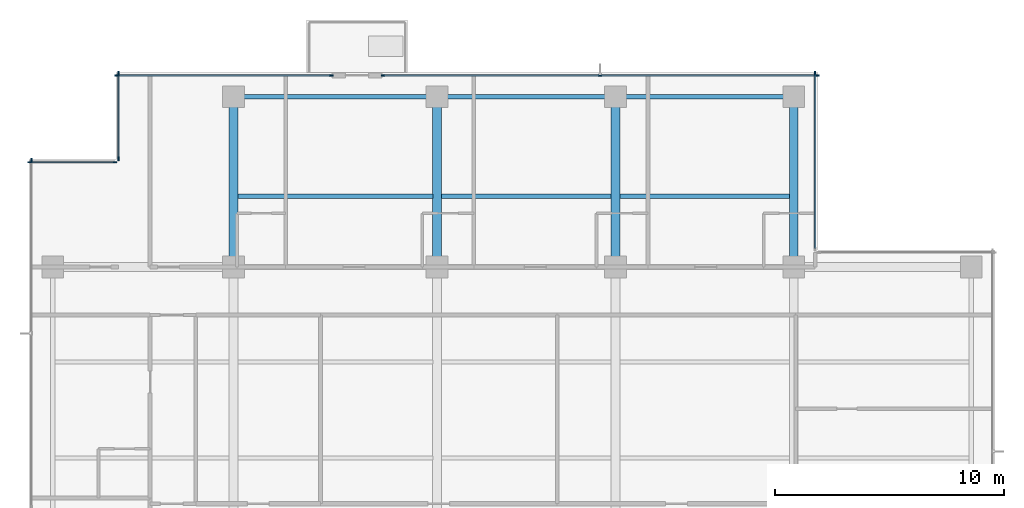
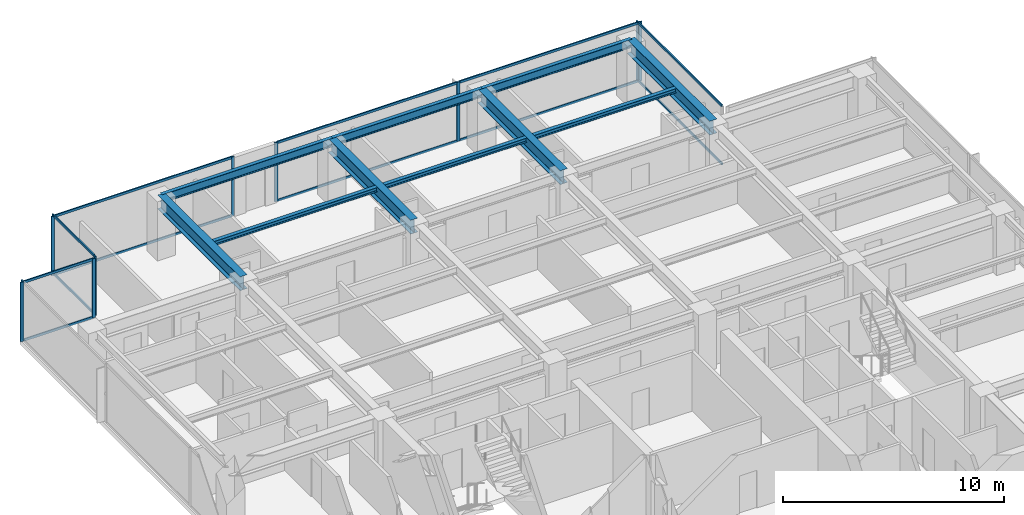
# One storey, part 5 of 14: 23 members, 10 beams, 6 elements without a shape of their own.
"""IFC4 building model written with IfcOpenShell, lengths in metres."""

from ifc_helpers import new_model, si_unit, direction, frame, origin, origin_2d, place, context, subcontext, project, spatial, rectangle, i_section, extrude, material, layer, layer_set, material_profile, profile_set, type_object, element, aggregate, save


model = new_model("IFC4")

# Units and contexts
model_context = context("Model", 3, precision=1e-05, world=origin(), true_north=direction((0.0, 1.0)))
body_context = subcontext(model_context, "Body", "Model", "MODEL_VIEW")
ifc_project = project(units=[si_unit("LENGTHUNIT", "METRE"), si_unit("AREAUNIT", "SQUARE_METRE"), si_unit("VOLUMEUNIT", "CUBIC_METRE"), si_unit("PLANEANGLEUNIT", "RADIAN"), si_unit("MASSUNIT", "GRAM", prefix="KILO")], contexts=[model_context])

# Site, building, storey
site_placement = place(None, origin())
site = spatial("IfcSite", under=ifc_project, at=site_placement, CompositionType="ELEMENT")
building_placement = place(site_placement, origin())
building = spatial("IfcBuilding", under=site, at=building_placement, Name="Qalmaran Belvedere Hotel", CompositionType="ELEMENT")
storey_placement = place(building_placement, frame((0.0, 0.0, 207.39990234375)))
storey = spatial("IfcBuildingStorey", under=building, at=storey_placement, Name="L52", CompositionType="ELEMENT", Elevation=207.39990234375)

# Beams
ifc_material_1 = material(Name="Steel S355JR", Category="steel")
ifc_material_profile_1 = material_profile(ifc_material_1, i_section(OverallWidth=0.201904296875, OverallDepth=0.2470703125, WebThickness=0.00732421875, FlangeThickness=0.010986328125, FilletRadius=0.011962890625, at=origin_2d()), Name="W250X49")
ifc_profile_set_1 = profile_set([ifc_material_profile_1], Name="Steel S355JR")
beam_type_1 = type_object("IfcBeamType", Name="BM-JST-W250X49", PredefinedType="JOIST", material=ifc_profile_set_1)
beam_1_placement = place(storey_placement, frame((20.488525390625, 36.10009765625, 3.13671875), z_axis=(1.0, 0.0, 0.0), x_axis=(0.0, 1.0, 0.0)))
element("IfcBeam", 1, at=beam_1_placement, inside=storey, type_object=beam_type_1, Name="L52 North Floor Joist 042", PredefinedType="JOIST", context=body_context, shape_type="SweptSolid", body=[
    extrude(i_section(OverallWidth=0.201904296875, OverallDepth=0.2470703125, WebThickness=0.00732421875, FlangeThickness=0.010986328125, FilletRadius=0.011962890625, at=origin_2d()), origin(), (0.0, 0.0, 1.0), 8.52294921875),
])
for number, where, z_axis, x_axis, name in (
    (2, (29.388427734375, 36.10009765625, 3.13671875), (1.0, 0.0, 0.0), (0.0, 1.0, 0.0), "L52 North Floor Joist 043"),
    (3, (37.1884765625, 36.10009765625, 3.13671875), (1.0, 0.0, 0.0), (0.0, 1.0, 0.0), "L52 North Floor Joist 044"),
):
    element("IfcBeam", number, at=place(storey_placement, frame(where, z_axis=z_axis, x_axis=x_axis)), inside=storey, type_object=beam_type_1, Name=name, PredefinedType="JOIST", context=body_context, shape_type="SweptSolid", body=[
        extrude(i_section(OverallWidth=0.201904296875, OverallDepth=0.2470703125, WebThickness=0.00732421875, FlangeThickness=0.010986328125, FilletRadius=0.011962890625, at=origin_2d()), origin(), (0.0, 0.0, 1.0), 7.423095703125),
    ])
ifc_material_profile_2 = material_profile(ifc_material_1, i_section(OverallWidth=0.381103515625, OverallDepth=0.77294921875, WebThickness=0.0166015625, FlangeThickness=0.027099609375, FilletRadius=0.02197265625, at=origin_2d()), Name="W760X257")
ifc_profile_set_2 = profile_set([ifc_material_profile_2], Name="Steel S355JR")
beam_type_2 = type_object("IfcBeamType", Name="BM-PG4-W760X257", PredefinedType="USERDEFINED", material=ifc_profile_set_2)
for number, where, z_axis, x_axis, name in (
    (4, (20.300048828125, 33.0, 2.87353515625), (0.0, 1.0, 0.0), (-1.0, 0.0, 0.0), "L52 North Bay Girder 15"),
    (5, (29.199951171875, 33.0, 2.87353515625), (0.0, 1.0, 0.0), (-1.0, 0.0, 0.0), "L52 North Bay Girder 17"),
    (6, (37.0, 33.0, 2.87353515625), (0.0, 1.0, 0.0), (-1.0, 0.0, 0.0), "L52 North Bay Girder 19"),
    (7, (44.800048828125, 33.0, 2.87353515625), (0.0, 1.0, 0.0), (-1.0, 0.0, 0.0), "L52 North Bay Girder 21"),
):
    element("IfcBeam", number, at=place(storey_placement, frame(where, z_axis=z_axis, x_axis=x_axis)), inside=storey, type_object=beam_type_2, Name=name, ObjectType="GIRDER", PredefinedType="USERDEFINED", context=body_context, shape_type="SweptSolid", body=[
        extrude(i_section(OverallWidth=0.381103515625, OverallDepth=0.77294921875, WebThickness=0.0166015625, FlangeThickness=0.027099609375, FilletRadius=0.02197265625, at=origin_2d()), origin(), (0.0, 0.0, 1.0), 7.449951171875),
    ])
ifc_material_profile_3 = material_profile(ifc_material_1, i_section(OverallWidth=0.19189453125, OverallDepth=0.462890625, WebThickness=0.010498046875, FlangeThickness=0.017578125, FilletRadius=0.01611328125, at=origin_2d()), Name="W460X89")
ifc_profile_set_3 = profile_set([ifc_material_profile_3], Name="Steel S355JR")
beam_type_3 = type_object("IfcBeamType", Name="BM-SP2-W460X89", PredefinedType="SPANDREL", material=ifc_profile_set_3)
beam_2_placement = place(storey_placement, frame((20.300048828125, 40.449951171875, 3.028564453125), z_axis=(1.0, 0.0, 0.0), x_axis=(0.0, 1.0, 0.0)))
element("IfcBeam", 8, at=beam_2_placement, inside=storey, type_object=beam_type_3, Name="L52 Perimeter Spandrel 05", PredefinedType="SPANDREL", context=body_context, shape_type="SweptSolid", body=[
    extrude(i_section(OverallWidth=0.19189453125, OverallDepth=0.462890625, WebThickness=0.010498046875, FlangeThickness=0.017578125, FilletRadius=0.01611328125, at=origin_2d()), origin(), (0.0, 0.0, 1.0), 8.89990234375),
])
for number, where, z_axis, x_axis, name in (
    (9, (29.199951171875, 40.449951171875, 3.028564453125), (1.0, 0.0, 0.0), (0.0, 1.0, 0.0), "L52 Perimeter Spandrel 06"),
    (10, (37.0, 40.449951171875, 3.028564453125), (1.0, 0.0, 0.0), (0.0, 1.0, 0.0), "L52 Perimeter Spandrel 07"),
):
    element("IfcBeam", number, at=place(storey_placement, frame(where, z_axis=z_axis, x_axis=x_axis)), inside=storey, type_object=beam_type_3, Name=name, PredefinedType="SPANDREL", context=body_context, shape_type="SweptSolid", body=[
        extrude(i_section(OverallWidth=0.19189453125, OverallDepth=0.462890625, WebThickness=0.010498046875, FlangeThickness=0.017578125, FilletRadius=0.01611328125, at=origin_2d()), origin(), (0.0, 0.0, 1.0), 7.800048828125),
    ])

# Curtain wall, member
ifc_material_2 = material(Name="Anodised Bronze Aluminium", Category="aluminium")
ifc_layer = layer(ifc_material_2, 0.18994140625, Name="Anodised Bronze Aluminium")
ifc_layer_set = layer_set([ifc_layer], Name="Anodised Bronze Aluminium")
curtain_wall_type = type_object("IfcCurtainWallType", Name="CW5-TOWER-UPPER", PredefinedType="NOTDEFINED", material=ifc_layer_set)
curtain_wall_1_placement = place(storey_placement, origin())
curtain_wall_1 = element("IfcCurtainWall", 11, at=curtain_wall_1_placement, inside=storey, type_object=curtain_wall_type, Name="L52 Curtain Wall CW5", PredefinedType="NOTDEFINED")
ifc_material_profile_4 = material_profile(ifc_material_2, rectangle(XDim=0.06494140625, YDim=0.1650390625, at=origin_2d()), Name="CWM65X165")
ifc_profile_set_4 = profile_set([ifc_material_profile_4], Name="Anodised Bronze Aluminium")
member_type_1 = type_object("IfcMemberType", Name="CWM-65X165", PredefinedType="MULLION", material=ifc_profile_set_4)
member_1_placement = place(storey_placement, frame((45.72998046875, 41.467529296875, 0.0), z_axis=(0.0, 0.0, 1.0), x_axis=(-1.0, 0.0, 0.0)))
member_1 = element("IfcMember", 12, at=member_1_placement, type_object=member_type_1, Name="CW5 mullion 2", PredefinedType="MULLION", context=body_context, shape_type="SweptSolid", body=[
    extrude(rectangle(XDim=0.06494140625, YDim=0.1650390625, at=origin_2d()), origin(), (0.0, 0.0, 1.0), 3.260009765625),
])

# Curtain wall, members
curtain_wall_2_placement = place(storey_placement, origin())
curtain_wall_2 = element("IfcCurtainWall", 13, at=curtain_wall_2_placement, inside=storey, type_object=curtain_wall_type, Name="L52 Curtain Wall CW5", PredefinedType="NOTDEFINED")
member_2_placement = place(storey_placement, frame((24.5673828125, 41.3798828125, 0.0), z_axis=(0.0, 0.0, 1.0), x_axis=(0.0, -1.0, 0.0)))
member_2 = element("IfcMember", 14, at=member_2_placement, type_object=member_type_1, Name="CW5 mullion 1", PredefinedType="MULLION", context=body_context, shape_type="SweptSolid", body=[
    extrude(rectangle(XDim=0.06494140625, YDim=0.1650390625, at=origin_2d()), origin(), (0.0, 0.0, 1.0), 3.260009765625),
])
member_3_placement = place(storey_placement, frame((15.1826171875, 41.3798828125, 0.0), z_axis=(0.0, 0.0, 1.0), x_axis=(0.0, -1.0, 0.0)))
member_3 = element("IfcMember", 15, at=member_3_placement, type_object=member_type_1, Name="CW5 mullion 2", PredefinedType="MULLION", context=body_context, shape_type="SweptSolid", body=[
    extrude(rectangle(XDim=0.06494140625, YDim=0.1650390625, at=origin_2d()), origin(), (0.0, 0.0, 1.0), 3.260009765625),
])

curtain_wall_3_placement = place(storey_placement, origin())
curtain_wall_3 = element("IfcCurtainWall", 16, at=curtain_wall_3_placement, inside=storey, type_object=curtain_wall_type, Name="L52 Curtain Wall CW5", PredefinedType="NOTDEFINED")
member_4_placement = place(storey_placement, frame((45.8173828125, 41.3798828125, 0.0), z_axis=(0.0, 0.0, 1.0), x_axis=(0.0, -1.0, 0.0)))
member_4 = element("IfcMember", 17, at=member_4_placement, type_object=member_type_1, Name="CW5 mullion 1", PredefinedType="MULLION", context=body_context, shape_type="SweptSolid", body=[
    extrude(rectangle(XDim=0.06494140625, YDim=0.1650390625, at=origin_2d()), origin(), (0.0, 0.0, 1.0), 3.260009765625),
])
member_5_placement = place(storey_placement, frame((36.324951171875, 41.3798828125, 0.0), z_axis=(0.0, 0.0, 1.0), x_axis=(0.0, -1.0, 0.0)))
member_5 = element("IfcMember", 18, at=member_5_placement, type_object=member_type_1, Name="CW5 mullion 2", PredefinedType="MULLION", context=body_context, shape_type="SweptSolid", body=[
    extrude(rectangle(XDim=0.06494140625, YDim=0.1650390625, at=origin_2d()), origin(), (0.0, 0.0, 1.0), 3.260009765625),
])
member_6_placement = place(storey_placement, frame((26.83251953125, 41.3798828125, 0.0), z_axis=(0.0, 0.0, 1.0), x_axis=(0.0, -1.0, 0.0)))
member_6 = element("IfcMember", 19, at=member_6_placement, type_object=member_type_1, Name="CW5 mullion 3", PredefinedType="MULLION", context=body_context, shape_type="SweptSolid", body=[
    extrude(rectangle(XDim=0.06494140625, YDim=0.1650390625, at=origin_2d()), origin(), (0.0, 0.0, 1.0), 3.260009765625),
])

curtain_wall_4_placement = place(storey_placement, origin())
curtain_wall_4 = element("IfcCurtainWall", 20, at=curtain_wall_4_placement, inside=storey, type_object=curtain_wall_type, Name="L52 Curtain Wall CW5", PredefinedType="NOTDEFINED")
member_7_placement = place(storey_placement, frame((15.27001953125, 41.467529296875, 0.0), z_axis=(0.0, 0.0, 1.0), x_axis=(1.0, 0.0, 0.0)))
member_7 = element("IfcMember", 21, at=member_7_placement, type_object=member_type_1, Name="CW5 mullion 1", PredefinedType="MULLION", context=body_context, shape_type="SweptSolid", body=[
    extrude(rectangle(XDim=0.06494140625, YDim=0.1650390625, at=origin_2d()), origin(), (0.0, 0.0, 1.0), 3.260009765625),
])
member_8_placement = place(storey_placement, frame((15.27001953125, 37.732421875, 0.0), z_axis=(0.0, 0.0, 1.0), x_axis=(1.0, 0.0, 0.0)))
member_8 = element("IfcMember", 22, at=member_8_placement, type_object=member_type_1, Name="CW5 mullion 2", PredefinedType="MULLION", context=body_context, shape_type="SweptSolid", body=[
    extrude(rectangle(XDim=0.06494140625, YDim=0.1650390625, at=origin_2d()), origin(), (0.0, 0.0, 1.0), 3.260009765625),
])

curtain_wall_5_placement = place(storey_placement, origin())
curtain_wall_5 = element("IfcCurtainWall", 23, at=curtain_wall_5_placement, inside=storey, type_object=curtain_wall_type, Name="L52 Curtain Wall CW5", PredefinedType="NOTDEFINED")
member_9_placement = place(storey_placement, frame((15.117431640625, 37.580078125, 0.0), z_axis=(0.0, 0.0, 1.0), x_axis=(0.0, -1.0, 0.0)))
member_9 = element("IfcMember", 24, at=member_9_placement, type_object=member_type_1, Name="CW5 mullion 1", PredefinedType="MULLION", context=body_context, shape_type="SweptSolid", body=[
    extrude(rectangle(XDim=0.06494140625, YDim=0.1650390625, at=origin_2d()), origin(), (0.0, 0.0, 1.0), 3.260009765625),
])
member_10_placement = place(storey_placement, frame((11.382568359375, 37.580078125, 0.0), z_axis=(0.0, 0.0, 1.0), x_axis=(0.0, -1.0, 0.0)))
member_10 = element("IfcMember", 25, at=member_10_placement, type_object=member_type_1, Name="CW5 mullion 2", PredefinedType="MULLION", context=body_context, shape_type="SweptSolid", body=[
    extrude(rectangle(XDim=0.06494140625, YDim=0.1650390625, at=origin_2d()), origin(), (0.0, 0.0, 1.0), 3.260009765625),
])

# Curtain wall, member
curtain_wall_6_placement = place(storey_placement, origin())
curtain_wall_6 = element("IfcCurtainWall", 26, at=curtain_wall_6_placement, inside=storey, type_object=curtain_wall_type, Name="L52 Curtain Wall CW5", PredefinedType="NOTDEFINED")
member_11_placement = place(storey_placement, frame((11.469970703125, 37.66748046875, 0.0), z_axis=(0.0, 0.0, 1.0), x_axis=(1.0, 0.0, 0.0)))
member_11 = element("IfcMember", 27, at=member_11_placement, type_object=member_type_1, Name="CW5 mullion 1", PredefinedType="MULLION", context=body_context, shape_type="SweptSolid", body=[
    extrude(rectangle(XDim=0.06494140625, YDim=0.1650390625, at=origin_2d()), origin(), (0.0, 0.0, 1.0), 3.260009765625),
])
aggregate(curtain_wall_6, [member_11])

# Member
ifc_material_profile_5 = material_profile(ifc_material_2, rectangle(XDim=0.06494140625, YDim=0.1298828125, at=origin_2d()), Name="CWT65X130")
ifc_profile_set_5 = profile_set([ifc_material_profile_5], Name="Anodised Bronze Aluminium")
member_type_2 = type_object("IfcMemberType", Name="CWT-65X130", PredefinedType="USERDEFINED", material=ifc_profile_set_5)
member_12_placement = place(storey_placement, frame((45.72998046875, 33.81494140625, 0.03271484375), z_axis=(0.0, 1.0, 0.0), x_axis=(-1.0, 0.0, 0.0)))
member_12 = element("IfcMember", 28, at=member_12_placement, type_object=member_type_2, Name="CW5 transom 1.1", ObjectType="TRANSOM", PredefinedType="USERDEFINED", context=body_context, shape_type="SweptSolid", body=[
    extrude(rectangle(XDim=0.06494140625, YDim=0.1298828125, at=origin_2d()), origin(), (0.0, 0.0, 1.0), 7.6201171875),
])

member_13_placement = place(storey_placement, frame((45.72998046875, 33.81494140625, 3.2275390625), z_axis=(0.0, 1.0, 0.0), x_axis=(-1.0, 0.0, 0.0)))
member_13 = element("IfcMember", 29, at=member_13_placement, type_object=member_type_2, Name="CW5 transom 1.2", ObjectType="TRANSOM", PredefinedType="USERDEFINED", context=body_context, shape_type="SweptSolid", body=[
    extrude(rectangle(XDim=0.06494140625, YDim=0.1298828125, at=origin_2d()), origin(), (0.0, 0.0, 1.0), 7.6201171875),
])

aggregate(curtain_wall_1, [member_1, member_12, member_13])

member_14_placement = place(storey_placement, frame((24.534912109375, 41.3798828125, 0.03271484375), z_axis=(-1.0, 0.0, 0.0), x_axis=(0.0, -1.0, 0.0)))
member_14 = element("IfcMember", 30, at=member_14_placement, type_object=member_type_2, Name="CW5 transom 1.1", ObjectType="TRANSOM", PredefinedType="USERDEFINED", context=body_context, shape_type="SweptSolid", body=[
    extrude(rectangle(XDim=0.06494140625, YDim=0.1298828125, at=origin_2d()), origin(), (0.0, 0.0, 1.0), 9.31982421875),
])

member_15_placement = place(storey_placement, frame((24.534912109375, 41.3798828125, 3.2275390625), z_axis=(-1.0, 0.0, 0.0), x_axis=(0.0, -1.0, 0.0)))
member_15 = element("IfcMember", 31, at=member_15_placement, type_object=member_type_2, Name="CW5 transom 1.2", ObjectType="TRANSOM", PredefinedType="USERDEFINED", context=body_context, shape_type="SweptSolid", body=[
    extrude(rectangle(XDim=0.06494140625, YDim=0.1298828125, at=origin_2d()), origin(), (0.0, 0.0, 1.0), 9.31982421875),
])

aggregate(curtain_wall_2, [member_2, member_3, member_14, member_15])

member_16_placement = place(storey_placement, frame((45.784912109375, 41.3798828125, 0.03271484375), z_axis=(-1.0, 0.0, 0.0), x_axis=(0.0, -1.0, 0.0)))
member_16 = element("IfcMember", 32, at=member_16_placement, type_object=member_type_2, Name="CW5 transom 1.1", ObjectType="TRANSOM", PredefinedType="USERDEFINED", context=body_context, shape_type="SweptSolid", body=[
    extrude(rectangle(XDim=0.06494140625, YDim=0.1298828125, at=origin_2d()), origin(), (0.0, 0.0, 1.0), 9.427490234375),
])

member_17_placement = place(storey_placement, frame((45.784912109375, 41.3798828125, 3.2275390625), z_axis=(-1.0, 0.0, 0.0), x_axis=(0.0, -1.0, 0.0)))
member_17 = element("IfcMember", 33, at=member_17_placement, type_object=member_type_2, Name="CW5 transom 1.2", ObjectType="TRANSOM", PredefinedType="USERDEFINED", context=body_context, shape_type="SweptSolid", body=[
    extrude(rectangle(XDim=0.06494140625, YDim=0.1298828125, at=origin_2d()), origin(), (0.0, 0.0, 1.0), 9.427490234375),
])

member_18_placement = place(storey_placement, frame((36.29248046875, 41.3798828125, 0.03271484375), z_axis=(-1.0, 0.0, 0.0), x_axis=(0.0, -1.0, 0.0)))
member_18 = element("IfcMember", 34, at=member_18_placement, type_object=member_type_2, Name="CW5 transom 2.1", ObjectType="TRANSOM", PredefinedType="USERDEFINED", context=body_context, shape_type="SweptSolid", body=[
    extrude(rectangle(XDim=0.06494140625, YDim=0.1298828125, at=origin_2d()), origin(), (0.0, 0.0, 1.0), 9.427490234375),
])

member_19_placement = place(storey_placement, frame((36.29248046875, 41.3798828125, 3.2275390625), z_axis=(-1.0, 0.0, 0.0), x_axis=(0.0, -1.0, 0.0)))
member_19 = element("IfcMember", 35, at=member_19_placement, type_object=member_type_2, Name="CW5 transom 2.2", ObjectType="TRANSOM", PredefinedType="USERDEFINED", context=body_context, shape_type="SweptSolid", body=[
    extrude(rectangle(XDim=0.06494140625, YDim=0.1298828125, at=origin_2d()), origin(), (0.0, 0.0, 1.0), 9.427490234375),
])

aggregate(curtain_wall_3, [member_4, member_5, member_6, member_16, member_17, member_18, member_19])

member_20_placement = place(storey_placement, frame((15.27001953125, 41.43505859375, 0.03271484375), z_axis=(0.0, -1.0, 0.0), x_axis=(1.0, 0.0, 0.0)))
member_20 = element("IfcMember", 36, at=member_20_placement, type_object=member_type_2, Name="CW5 transom 1.1", ObjectType="TRANSOM", PredefinedType="USERDEFINED", context=body_context, shape_type="SweptSolid", body=[
    extrude(rectangle(XDim=0.06494140625, YDim=0.1298828125, at=origin_2d()), origin(), (0.0, 0.0, 1.0), 3.670166015625),
])

member_21_placement = place(storey_placement, frame((15.27001953125, 41.43505859375, 3.2275390625), z_axis=(0.0, -1.0, 0.0), x_axis=(1.0, 0.0, 0.0)))
member_21 = element("IfcMember", 37, at=member_21_placement, type_object=member_type_2, Name="CW5 transom 1.2", ObjectType="TRANSOM", PredefinedType="USERDEFINED", context=body_context, shape_type="SweptSolid", body=[
    extrude(rectangle(XDim=0.06494140625, YDim=0.1298828125, at=origin_2d()), origin(), (0.0, 0.0, 1.0), 3.670166015625),
])

aggregate(curtain_wall_4, [member_7, member_8, member_20, member_21])

member_22_placement = place(storey_placement, frame((15.0849609375, 37.580078125, 0.03271484375), z_axis=(-1.0, 0.0, 0.0), x_axis=(0.0, -1.0, 0.0)))
member_22 = element("IfcMember", 38, at=member_22_placement, type_object=member_type_2, Name="CW5 transom 1.1", ObjectType="TRANSOM", PredefinedType="USERDEFINED", context=body_context, shape_type="SweptSolid", body=[
    extrude(rectangle(XDim=0.06494140625, YDim=0.1298828125, at=origin_2d()), origin(), (0.0, 0.0, 1.0), 3.669921875),
])

member_23_placement = place(storey_placement, frame((15.0849609375, 37.580078125, 3.2275390625), z_axis=(-1.0, 0.0, 0.0), x_axis=(0.0, -1.0, 0.0)))
member_23 = element("IfcMember", 39, at=member_23_placement, type_object=member_type_2, Name="CW5 transom 1.2", ObjectType="TRANSOM", PredefinedType="USERDEFINED", context=body_context, shape_type="SweptSolid", body=[
    extrude(rectangle(XDim=0.06494140625, YDim=0.1298828125, at=origin_2d()), origin(), (0.0, 0.0, 1.0), 3.669921875),
])

aggregate(curtain_wall_5, [member_9, member_10, member_22, member_23])

save(model, "model.ifc")
